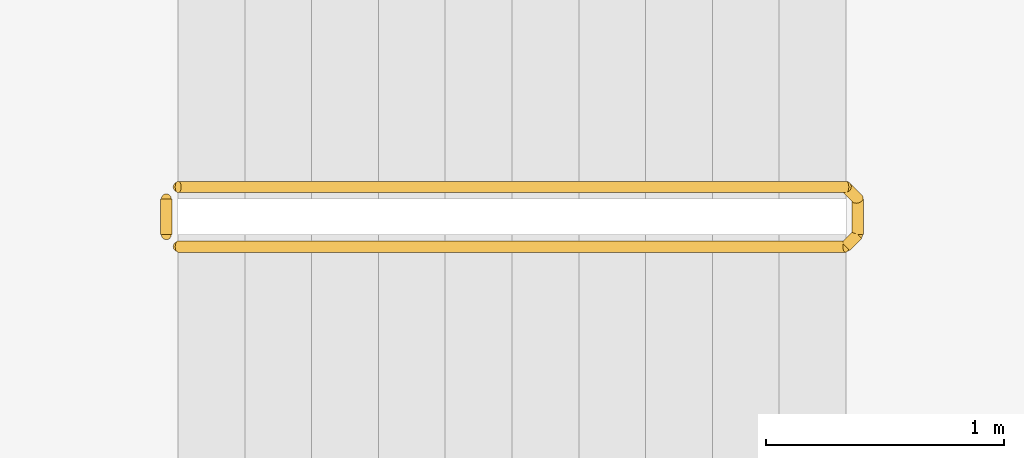
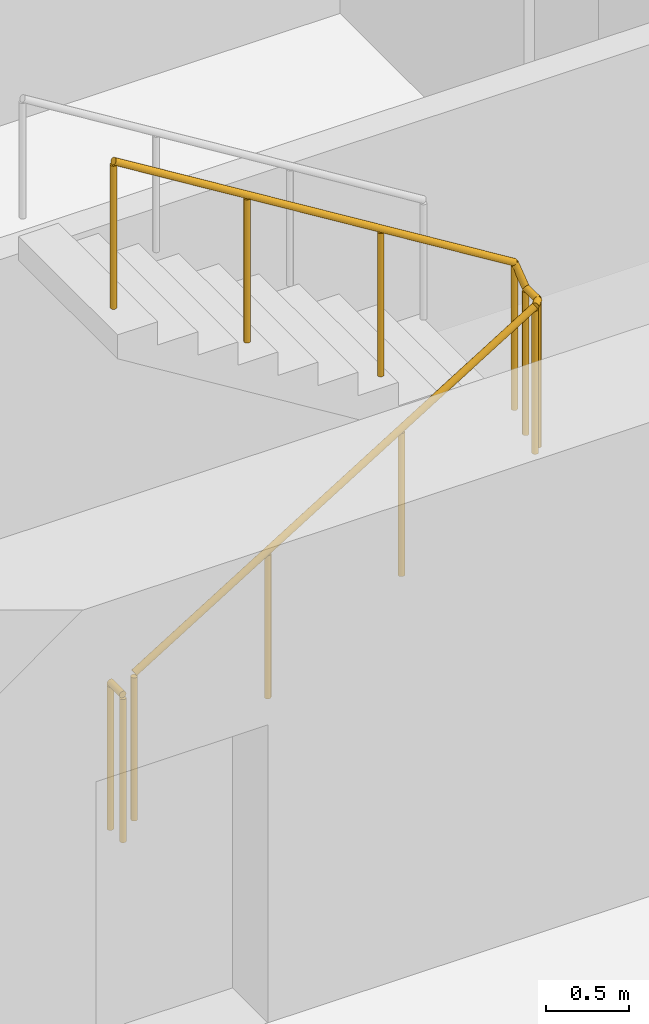
# One storey, part 9 of 13: 2 railings.
"""IFC4 building model written with IfcOpenShell, lengths in metres."""

from ifc_helpers import new_model, si_unit, direction, frame, origin, origin_2d, place, context, subcontext, project, spatial, circle, extrude, material, type_object, element, save


model = new_model("IFC4")

# Units and contexts
model_context = context("Model", 3, precision=1e-05, world=origin(), true_north=direction((0.0, 1.0)))
body_context = subcontext(model_context, "Body", "Model", "MODEL_VIEW")
ifc_project = project(units=[si_unit("LENGTHUNIT", "METRE"), si_unit("AREAUNIT", "SQUARE_METRE"), si_unit("VOLUMEUNIT", "CUBIC_METRE"), si_unit("PLANEANGLEUNIT", "RADIAN"), si_unit("MASSUNIT", "GRAM", prefix="KILO")], contexts=[model_context])

# Site, building, storey
site_placement = place(None, origin())
site = spatial("IfcSite", under=ifc_project, at=site_placement, CompositionType="ELEMENT")
building_placement = place(site_placement, origin())
building = spatial("IfcBuilding", under=site, at=building_placement, Name="Orbiselva Terraces", CompositionType="ELEMENT")
storey_placement = place(building_placement, frame((0.0, 0.0, 77.0)))
storey = spatial("IfcBuildingStorey", under=building, at=storey_placement, Name="L19", CompositionType="ELEMENT", Elevation=77.0)

# Railings
ifc_material = material(Name="Stainless steel", Category="steel")
railing_type = type_object("IfcRailingType", Name="CORE-GUARD-1100", PredefinedType="GUARDRAIL", material=ifc_material)
railing_1_placement = place(storey_placement, frame((-7.15, 6.55, 0.172727)))
element("IfcRailing", 1, at=railing_1_placement, inside=storey, type_object=railing_type, Name="L19 S3 stair guard 1", PredefinedType="GUARDRAIL", context=body_context, shape_type="SweptSolid", body=[
    extrude(circle(Radius=0.024, at=origin_2d()), frame((0.0, 0.0, 1.081), z_axis=(0.851088519012, 0.0, 0.52502222125), x_axis=(0.0, 1.0, 0.0)), (0.0, 0.0, 1.0), 3.289905),
    extrude(circle(Radius=0.024, at=origin_2d()), frame((2.8, 0.0, 2.808273), z_axis=(0.707106781187, 0.707106781187, 0.0), x_axis=(-0.707106781187, 0.707106781187, 0.0)), (0.0, 0.0, 1.0), 0.070711),
    extrude(circle(Radius=0.024, at=origin_2d()), frame((2.85, 0.05, 2.808273), z_axis=(0.0, 1.0, 0.0), x_axis=(-1.0, 0.0, 0.0)), (0.0, 0.0, 1.0), 0.15),
    extrude(circle(Radius=0.024, at=origin_2d()), frame((2.85, 0.2, 2.808273), z_axis=(-0.267894925557, 0.267894925557, 0.925453736133), x_axis=(-0.707106781187, -0.707106781187, 0.0)), (0.0, 0.0, 1.0), 0.18664),
    extrude(circle(Radius=0.024, at=origin_2d()), frame((2.8, 0.25, 2.981), z_axis=(-0.851088519012, 0.0, 0.52502222125), x_axis=(0.0, -1.0, 0.0)), (0.0, 0.0, 1.0), 3.289905),
    extrude(circle(Radius=0.021, at=origin_2d()), origin(), (0.0, 0.0, 1.0), 1.057),
    extrude(circle(Radius=0.021, at=origin_2d()), frame((0.933333, 0.0, 0.575758)), (0.0, 0.0, 1.0), 1.057),
    extrude(circle(Radius=0.021, at=origin_2d()), frame((1.866667, 0.0, 1.151515)), (0.0, 0.0, 1.0), 1.057),
    extrude(circle(Radius=0.021, at=origin_2d()), frame((2.8, 0.0, 1.727273)), (0.0, 0.0, 1.0), 1.057),
    extrude(circle(Radius=0.021, at=origin_2d()), frame((2.85, 0.05, 1.727273)), (0.0, 0.0, 1.0), 1.057),
    extrude(circle(Radius=0.021, at=origin_2d()), frame((2.85, 0.2, 1.727273)), (0.0, 0.0, 1.0), 1.057),
    extrude(circle(Radius=0.021, at=origin_2d()), frame((2.8, 0.25, 1.9)), (0.0, 0.0, 1.0), 1.057),
    extrude(circle(Radius=0.021, at=origin_2d()), frame((1.866667, 0.25, 2.475758)), (0.0, 0.0, 1.0), 1.057),
    extrude(circle(Radius=0.021, at=origin_2d()), frame((0.933333, 0.25, 3.051515)), (0.0, 0.0, 1.0), 1.057),
    extrude(circle(Radius=0.021, at=origin_2d()), frame((0.0, 0.25, 3.627273)), (0.0, 0.0, 1.0), 1.057),
])
railing_2_placement = place(storey_placement, frame((-7.2, 6.6, 0.0)))
element("IfcRailing", 2, at=railing_2_placement, inside=storey, type_object=railing_type, Name="L19 S3 stair guard 2", PredefinedType="GUARDRAIL", context=body_context, shape_type="SweptSolid", body=[
    extrude(circle(Radius=0.024, at=origin_2d()), frame((0.0, 0.0, 1.081), z_axis=(0.0, 1.0, 0.0), x_axis=(-1.0, 0.0, 0.0)), (0.0, 0.0, 1.0), 0.15),
    extrude(circle(Radius=0.021, at=origin_2d()), origin(), (0.0, 0.0, 1.0), 1.057),
    extrude(circle(Radius=0.021, at=origin_2d()), frame((0.0, 0.15, 0.0)), (0.0, 0.0, 1.0), 1.057),
])

save(model, "model.ifc")
